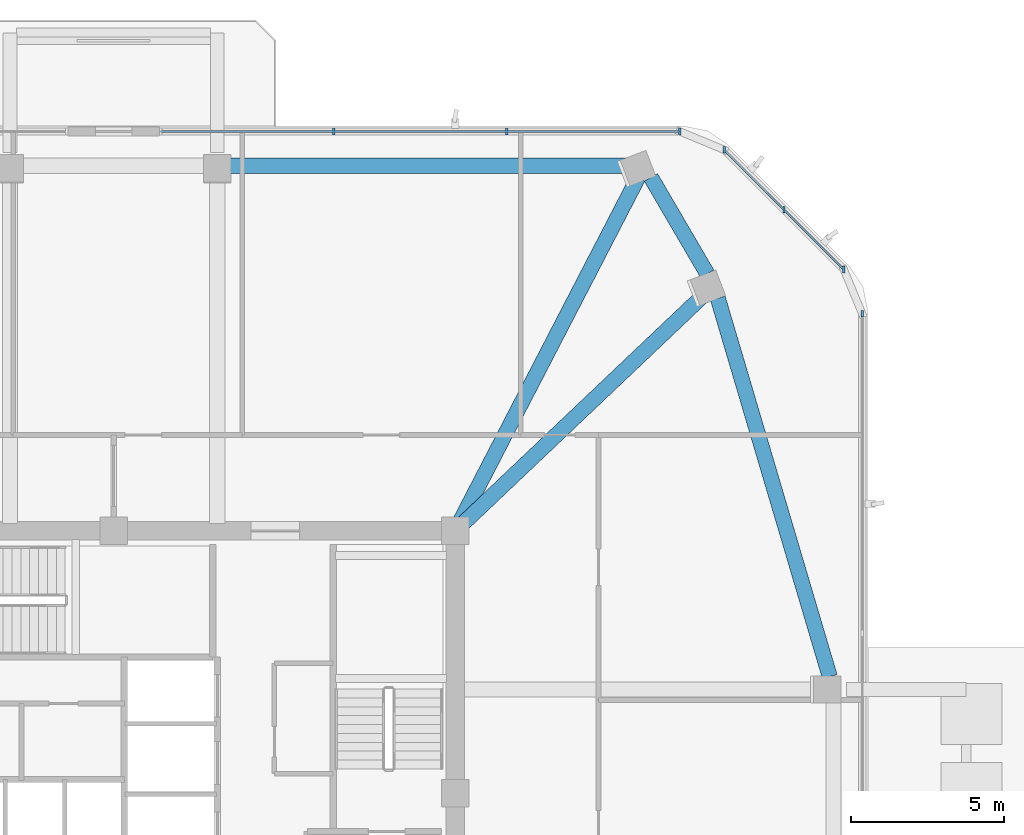
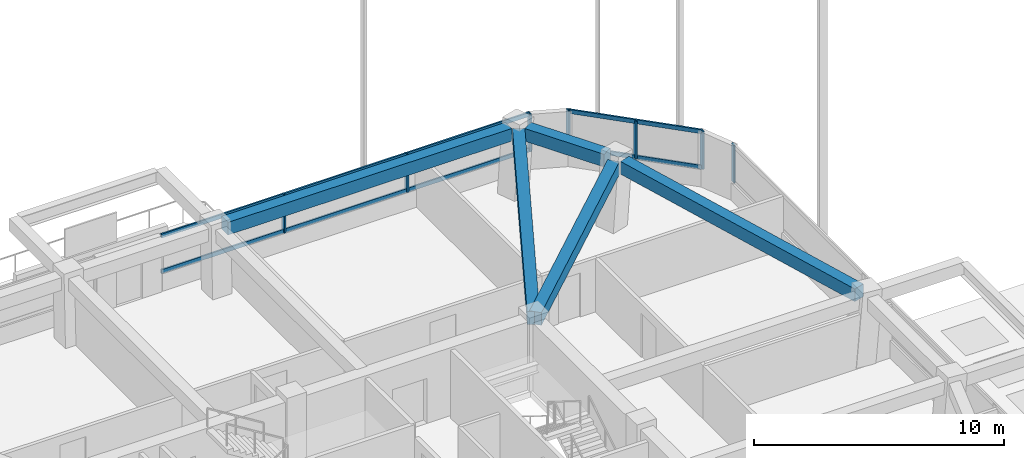
# One storey, part 5 of 14: 11 members, 5 beams, 3 elements without a shape of their own.
"""IFC4 building model written with IfcOpenShell, lengths in metres."""

from ifc_helpers import new_model, si_unit, derived_unit, direction, frame, origin, origin_2d, place, context, subcontext, project, spatial, rectangle, extrude, material, material_profile, profile_set, type_object, element, aggregate, save


model = new_model("IFC4")

# Units and contexts
model_context = context("Model", 3, precision=1e-05, world=origin(), true_north=direction((0.0, 1.0)))
body_context = subcontext(model_context, "Body", "Model", "MODEL_VIEW")
ifc_project = project(units=[si_unit("LENGTHUNIT", "METRE"), si_unit("AREAUNIT", "SQUARE_METRE"), si_unit("VOLUMEUNIT", "CUBIC_METRE"), si_unit("PLANEANGLEUNIT", "RADIAN"), si_unit("MASSUNIT", "GRAM", prefix="KILO"), derived_unit("THERMALTRANSMITTANCEUNIT", [(si_unit("POWERUNIT", "WATT"), 1), (si_unit("LENGTHUNIT", "METRE"), -2), (si_unit("THERMODYNAMICTEMPERATUREUNIT", "KELVIN"), -1)])], contexts=[model_context])

# Site, building, storey
site_placement = place(None, origin())
site = spatial("IfcSite", under=ifc_project, at=site_placement, CompositionType="ELEMENT")
building_placement = place(site_placement, origin())
building = spatial("IfcBuilding", under=site, at=building_placement, Name="Koralith Skygarden Medical Center", CompositionType="ELEMENT")
storey_placement = place(building_placement, frame((0.0, 0.0, 192.780029296875)))
storey = spatial("IfcBuildingStorey", under=building, at=storey_placement, Name="L49", CompositionType="ELEMENT", Elevation=192.780029296875)

# Curtain wall, member
ifc_material_1 = material(Name="Clear Laminated Glass", Category="glass")
curtain_wall_type = type_object("IfcCurtainWallType", Name="CW-5 Zone 4 Flare Biophilic Curtain Wall", PredefinedType="NOTDEFINED", material=ifc_material_1)
curtain_wall_1_placement = place(storey_placement, origin())
curtain_wall_1 = element("IfcCurtainWall", 1, at=curtain_wall_1_placement, inside=storey, type_object=curtain_wall_type, Name="Curtain Wall CW-L49-E", PredefinedType="NOTDEFINED")
ifc_material_2 = material(Name="Aluminium 6063-T6", Category="aluminium")
ifc_material_profile_1 = material_profile(ifc_material_2, rectangle(XDim=0.080078125, YDim=0.219970703125, at=origin_2d()), Name="MUL80X220")
ifc_profile_set_1 = profile_set([ifc_material_profile_1], Name="Aluminium 6063-T6")
member_type_1 = type_object("IfcMemberType", Name="CW-5 Extruded Mullion 80x220", PredefinedType="MULLION", material=ifc_profile_set_1)
member_1_placement = place(storey_placement, frame((61.5439453125, 41.618896484375, 0.849853515625), z_axis=(0.0, 0.0, 1.0), x_axis=(1.0, 0.0, 0.0)))
member_1 = element("IfcMember", 2, at=member_1_placement, type_object=member_type_1, Name="CW-L49-E Mullion 4", PredefinedType="MULLION", context=body_context, shape_type="SweptSolid", body=[
    extrude(rectangle(XDim=0.080078125, YDim=0.219970703125, at=origin_2d()), origin(), (0.0, 0.0, 1.0), 1.840087890625),
])
aggregate(curtain_wall_1, [member_1])

# Curtain wall, members
curtain_wall_2_placement = place(storey_placement, origin())
curtain_wall_2 = element("IfcCurtainWall", 3, at=curtain_wall_2_placement, inside=storey, type_object=curtain_wall_type, Name="Curtain Wall CW-L49-NE", PredefinedType="NOTDEFINED")
member_2_placement = place(storey_placement, frame((60.94189453125, 43.070068359375, 0.849853515625), z_axis=(0.0, 0.0, 1.0), x_axis=(1.0, 0.0, 0.0)))
member_2 = element("IfcMember", 4, at=member_2_placement, type_object=member_type_1, Name="CW-L49-NE Mullion 1", PredefinedType="MULLION", context=body_context, shape_type="SweptSolid", body=[
    extrude(rectangle(XDim=0.080078125, YDim=0.219970703125, at=origin_2d()), origin(), (0.0, 0.0, 1.0), 1.840087890625),
])
member_3_placement = place(storey_placement, frame((58.97998046875, 45.031982421875, 0.849853515625), z_axis=(0.0, 0.0, 1.0), x_axis=(1.0, 0.0, 0.0)))
member_3 = element("IfcMember", 5, at=member_3_placement, type_object=member_type_1, Name="CW-L49-NE Mullion 2", PredefinedType="MULLION", context=body_context, shape_type="SweptSolid", body=[
    extrude(rectangle(XDim=0.080078125, YDim=0.219970703125, at=origin_2d()), origin(), (0.0, 0.0, 1.0), 1.840087890625),
])
member_4_placement = place(storey_placement, frame((57.01904296875, 46.992919921875, 0.849853515625), z_axis=(0.0, 0.0, 1.0), x_axis=(1.0, 0.0, 0.0)))
member_4 = element("IfcMember", 6, at=member_4_placement, type_object=member_type_1, Name="CW-L49-NE Mullion 3", PredefinedType="MULLION", context=body_context, shape_type="SweptSolid", body=[
    extrude(rectangle(XDim=0.080078125, YDim=0.219970703125, at=origin_2d()), origin(), (0.0, 0.0, 1.0), 1.840087890625),
])

curtain_wall_3_placement = place(storey_placement, origin())
curtain_wall_3 = element("IfcCurtainWall", 7, at=curtain_wall_3_placement, inside=storey, type_object=curtain_wall_type, Name="Curtain Wall CW-L49-N-L", PredefinedType="NOTDEFINED")
member_5_placement = place(storey_placement, frame((55.568115234375, 47.593994140625, 0.849853515625), z_axis=(0.0, 0.0, 1.0), x_axis=(1.0, 0.0, 0.0)))
member_5 = element("IfcMember", 8, at=member_5_placement, type_object=member_type_1, Name="CW-L49-N-L Mullion 1", PredefinedType="MULLION", context=body_context, shape_type="SweptSolid", body=[
    extrude(rectangle(XDim=0.080078125, YDim=0.219970703125, at=origin_2d()), origin(), (0.0, 0.0, 1.0), 1.840087890625),
])
member_6_placement = place(storey_placement, frame((49.89208984375, 47.593994140625, 0.849853515625), z_axis=(0.0, 0.0, 1.0), x_axis=(1.0, 0.0, 0.0)))
member_6 = element("IfcMember", 9, at=member_6_placement, type_object=member_type_1, Name="CW-L49-N-L Mullion 2", PredefinedType="MULLION", context=body_context, shape_type="SweptSolid", body=[
    extrude(rectangle(XDim=0.080078125, YDim=0.219970703125, at=origin_2d()), origin(), (0.0, 0.0, 1.0), 1.840087890625),
])
member_7_placement = place(storey_placement, frame((44.216064453125, 47.593994140625, 0.849853515625), z_axis=(0.0, 0.0, 1.0), x_axis=(1.0, 0.0, 0.0)))
member_7 = element("IfcMember", 10, at=member_7_placement, type_object=member_type_1, Name="CW-L49-N-L Mullion 3", PredefinedType="MULLION", context=body_context, shape_type="SweptSolid", body=[
    extrude(rectangle(XDim=0.080078125, YDim=0.219970703125, at=origin_2d()), origin(), (0.0, 0.0, 1.0), 1.840087890625),
])

# Member
ifc_material_profile_2 = material_profile(ifc_material_2, rectangle(XDim=0.074951171875, YDim=0.197998046875, at=origin_2d()), Name="TRN75X198")
ifc_profile_set_2 = profile_set([ifc_material_profile_2], Name="Aluminium 6063-T6")
member_type_2 = type_object("IfcMemberType", Name="CW-5 Thermal Transom 75x198", PredefinedType="USERDEFINED", material=ifc_profile_set_2)
member_8_placement = place(storey_placement, frame((60.94189453125, 43.070068359375, 0.89990234375), z_axis=(-0.707106781187, 0.707106781187, 0.0), x_axis=(-0.707106781187, -0.707106781187, 0.0)))
member_8 = element("IfcMember", 11, at=member_8_placement, type_object=member_type_2, Name="CW-L49-NE Transom 1", ObjectType="TRANSOM", PredefinedType="USERDEFINED", context=body_context, shape_type="SweptSolid", body=[
    extrude(rectangle(XDim=0.074951171875, YDim=0.197998046875, at=origin_2d()), origin(), (0.0, 0.0, 1.0), 5.5478515625),
])

member_9_placement = place(storey_placement, frame((60.94189453125, 43.070068359375, 2.639892578125), z_axis=(-0.707106781187, 0.707106781187, 0.0), x_axis=(-0.707106781187, -0.707106781187, 0.0)))
member_9 = element("IfcMember", 12, at=member_9_placement, type_object=member_type_2, Name="CW-L49-NE Transom 2", ObjectType="TRANSOM", PredefinedType="USERDEFINED", context=body_context, shape_type="SweptSolid", body=[
    extrude(rectangle(XDim=0.074951171875, YDim=0.197998046875, at=origin_2d()), origin(), (0.0, 0.0, 1.0), 5.5478515625),
])

aggregate(curtain_wall_2, [member_2, member_3, member_4, member_8, member_9])

member_10_placement = place(storey_placement, frame((55.568115234375, 47.593994140625, 0.89990234375), z_axis=(-1.0, 0.0, 0.0), x_axis=(0.0, -1.0, 0.0)))
member_10 = element("IfcMember", 13, at=member_10_placement, type_object=member_type_2, Name="CW-L49-N-L Transom 1", ObjectType="TRANSOM", PredefinedType="USERDEFINED", context=body_context, shape_type="SweptSolid", body=[
    extrude(rectangle(XDim=0.074951171875, YDim=0.197998046875, at=origin_2d()), origin(), (0.0, 0.0, 1.0), 17.028076171875),
])

member_11_placement = place(storey_placement, frame((55.568115234375, 47.593994140625, 2.639892578125), z_axis=(-1.0, 0.0, 0.0), x_axis=(0.0, -1.0, 0.0)))
member_11 = element("IfcMember", 14, at=member_11_placement, type_object=member_type_2, Name="CW-L49-N-L Transom 2", ObjectType="TRANSOM", PredefinedType="USERDEFINED", context=body_context, shape_type="SweptSolid", body=[
    extrude(rectangle(XDim=0.074951171875, YDim=0.197998046875, at=origin_2d()), origin(), (0.0, 0.0, 1.0), 17.028076171875),
])

aggregate(curtain_wall_3, [member_5, member_6, member_7, member_10, member_11])

# Beams
ifc_material_3 = material(Name="Concrete C45/55", Category="concrete")
ifc_material_profile_3 = material_profile(ifc_material_3, rectangle(XDim=0.5, YDim=0.6201171875, at=origin_2d()), Name="RCB500X620")
ifc_profile_set_3 = profile_set([ifc_material_profile_3], Name="Concrete C45/55")
beam_type_1 = type_object("IfcBeamType", Name="Upper Radial Collector Beam RCB500X620", PredefinedType="BEAM", material=ifc_profile_set_3)
beam_1_placement = place(storey_placement, frame((48.381103515625, 34.672119140625, 3.010009765625), z_axis=(0.725483293562, 0.688239777085, 0.0), x_axis=(-0.688239777085, 0.725483293562, 0.0)))
element("IfcBeam", 15, at=beam_1_placement, inside=storey, type_object=beam_type_1, Name="L49 Radial Collector Beam RB-10", PredefinedType="BEAM", context=body_context, shape_type="SweptSolid", body=[
    extrude(rectangle(XDim=0.5, YDim=0.6201171875, at=origin_2d()), origin(), (0.0, 0.0, 1.0), 11.00634765625),
])
beam_2_placement = place(storey_placement, frame((48.31494140625, 34.721923828125, 3.010009765625), z_axis=(0.459580285537, 0.888136228934, 0.0), x_axis=(-0.888136228934, 0.459580285537, 0.0)))
element("IfcBeam", 16, at=beam_2_placement, inside=storey, type_object=beam_type_1, Name="L49 Radial Collector Beam RB-11", PredefinedType="BEAM", context=body_context, shape_type="SweptSolid", body=[
    extrude(rectangle(XDim=0.5, YDim=0.6201171875, at=origin_2d()), origin(), (0.0, 0.0, 1.0), 12.78759765625),
])
ifc_material_profile_4 = material_profile(ifc_material_3, rectangle(XDim=0.5, YDim=0.6201171875, at=origin_2d()), Name="RCB500X620")
ifc_profile_set_4 = profile_set([ifc_material_profile_4], Name="Concrete C45/55")
beam_type_2 = type_object("IfcBeamType", Name="Zone 4-5 Spandrel Beam RCB500X620", PredefinedType="SPANDREL", material=ifc_profile_set_4)
beam_3_placement = place(storey_placement, frame((60.47998046875, 29.721923828125, 3.010009765625), z_axis=(-0.283666813305, 0.958922905676, 0.0), x_axis=(-0.958922905676, -0.283666813305, 0.0)))
element("IfcBeam", 17, at=beam_3_placement, inside=storey, type_object=beam_type_2, Name="L49 Perimeter Spandrel Beam SP-09", PredefinedType="SPANDREL", context=body_context, shape_type="SweptSolid", body=[
    extrude(rectangle(XDim=0.5, YDim=0.6201171875, at=origin_2d()), origin(), (0.0, 0.0, 1.0), 12.9375),
])
beam_4_placement = place(storey_placement, frame((56.462890625, 42.929931640625, 3.010009765625), z_axis=(-0.504584161671, 0.863362510068, 0.0), x_axis=(-0.863362510068, -0.504584161671, 0.0)))
element("IfcBeam", 18, at=beam_4_placement, inside=storey, type_object=beam_type_2, Name="L49 Perimeter Spandrel Beam SP-10", PredefinedType="SPANDREL", context=body_context, shape_type="SweptSolid", body=[
    extrude(rectangle(XDim=0.5, YDim=0.6201171875, at=origin_2d()), origin(), (0.0, 0.0, 1.0), 3.660400390625),
])
beam_5_placement = place(storey_placement, frame((53.9541015625, 46.469970703125, 3.010009765625), z_axis=(-1.0, 0.0, 0.0), x_axis=(0.0, -1.0, 0.0)))
element("IfcBeam", 19, at=beam_5_placement, inside=storey, type_object=beam_type_2, Name="L49 Perimeter Spandrel Beam SP-11", PredefinedType="SPANDREL", context=body_context, shape_type="SweptSolid", body=[
    extrude(rectangle(XDim=0.5, YDim=0.6201171875, at=origin_2d()), origin(), (0.0, 0.0, 1.0), 13.114013671875),
])

save(model, "model.ifc")
